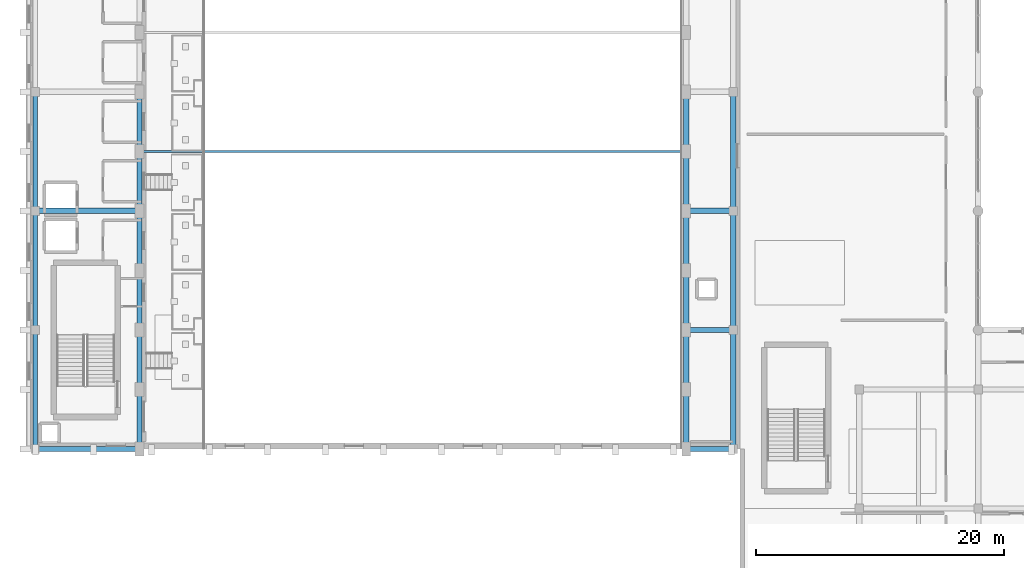
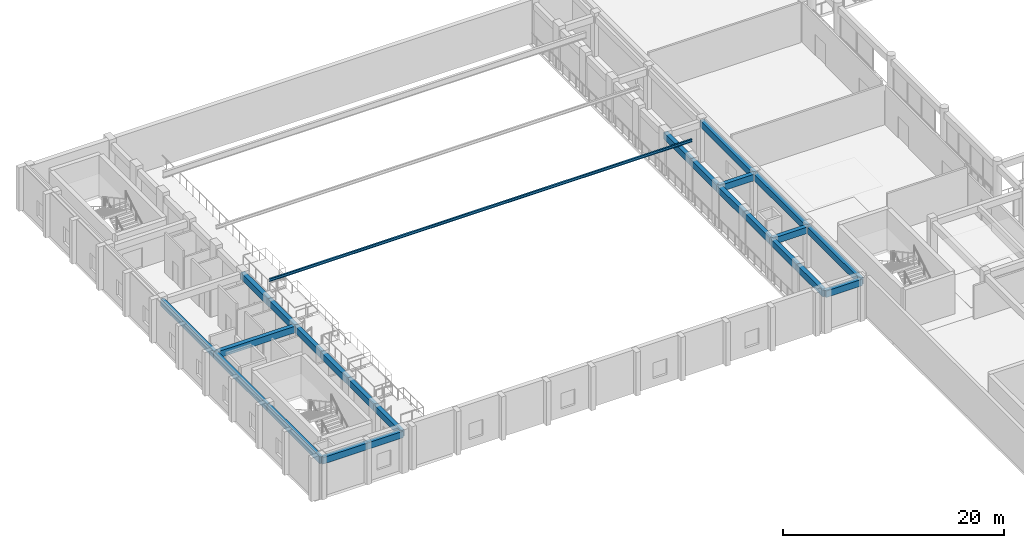
# One storey, part 7 of 133: 24 beams.
"""IFC4 building model written with IfcOpenShell, lengths in metres."""

from ifc_helpers import new_model, si_unit, direction, frame, origin, origin_2d, place, context, subcontext, project, spatial, rectangle, i_section, extrude, material, material_profile, profile_set, type_object, element, save


model = new_model("IFC4")

# Units and contexts
model_context = context("Model", 3, precision=1e-05, world=origin(), true_north=direction((0.0, 1.0)))
body_context = subcontext(model_context, "Body", "Model", "MODEL_VIEW")
ifc_project = project(units=[si_unit("LENGTHUNIT", "METRE"), si_unit("AREAUNIT", "SQUARE_METRE"), si_unit("VOLUMEUNIT", "CUBIC_METRE"), si_unit("PLANEANGLEUNIT", "RADIAN"), si_unit("MASSUNIT", "GRAM", prefix="KILO")], contexts=[model_context])

# Site, building, storey
site_placement = place(None, origin())
site = spatial("IfcSite", under=ifc_project, at=site_placement, CompositionType="ELEMENT")
building_placement = place(site_placement, origin())
building = spatial("IfcBuilding", under=site, at=building_placement, Name="Nakhvara Creek Congress Hotel", CompositionType="ELEMENT")
storey_placement = place(building_placement, frame((0.0, 0.0, 11.39990234375)))
storey = spatial("IfcBuildingStorey", under=building, at=storey_placement, Name="L02", CompositionType="ELEMENT", Elevation=11.39990234375)

# Beams
ifc_material_1 = material(Name="Concrete C40/50", Category="concrete")
ifc_material_profile_1 = material_profile(ifc_material_1, rectangle(XDim=0.43994140625, YDim=0.719970703125, at=origin_2d()), Name="RC-BM 440x720", Category="LoadBearing")
ifc_profile_set_1 = profile_set([ifc_material_profile_1], Name="Concrete C40/50")
beam_type_1 = type_object("IfcBeamType", Name="BM-RC-440X720", PredefinedType="BEAM", material=ifc_profile_set_1)
beam_1_placement = place(storey_placement, frame((0.75, 33.60009765625, 4.06005859375), z_axis=(1.0, 0.0, 0.0), x_axis=(0.0, 1.0, 0.0)))
element("IfcBeam", 1, at=beam_1_placement, inside=storey, type_object=beam_type_1, Name="Beam B12-L02-1393", PredefinedType="BEAM", context=body_context, shape_type="SweptSolid", body=[
    extrude(rectangle(XDim=0.43994140625, YDim=0.719970703125, at=origin_2d()), origin(), (0.0, 0.0, 1.0), 8.39990234375),
])
beam_2_placement = place(storey_placement, frame((57.050048828125, 33.60009765625, 4.06005859375), z_axis=(0.0, 1.0, 0.0), x_axis=(-1.0, 0.0, 0.0)))
element("IfcBeam", 2, at=beam_2_placement, inside=storey, type_object=beam_type_1, Name="Beam B12-L02-1394", PredefinedType="BEAM", context=body_context, shape_type="SweptSolid", body=[
    extrude(rectangle(XDim=0.43994140625, YDim=0.719970703125, at=origin_2d()), origin(), (0.0, 0.0, 1.0), 9.599853515625),
])
beam_3_placement = place(storey_placement, frame((53.25, 33.60009765625, 4.06005859375), z_axis=(1.0, 0.0, 0.0), x_axis=(0.0, 1.0, 0.0)))
element("IfcBeam", 3, at=beam_3_placement, inside=storey, type_object=beam_type_1, Name="Beam B12-L02-1395", PredefinedType="BEAM", context=body_context, shape_type="SweptSolid", body=[
    extrude(rectangle(XDim=0.43994140625, YDim=0.719970703125, at=origin_2d()), origin(), (0.0, 0.0, 1.0), 3.800048828125),
])
beam_4_placement = place(storey_placement, frame((57.050048828125, 43.199951171875, 4.06005859375), z_axis=(0.0, 1.0, 0.0), x_axis=(-1.0, 0.0, 0.0)))
element("IfcBeam", 4, at=beam_4_placement, inside=storey, type_object=beam_type_1, Name="Beam B12-L02-1397", PredefinedType="BEAM", context=body_context, shape_type="SweptSolid", body=[
    extrude(rectangle(XDim=0.43994140625, YDim=0.719970703125, at=origin_2d()), origin(), (0.0, 0.0, 1.0), 9.60009765625),
])
beam_5_placement = place(storey_placement, frame((53.25, 43.199951171875, 4.06005859375), z_axis=(1.0, 0.0, 0.0), x_axis=(0.0, 1.0, 0.0)))
element("IfcBeam", 5, at=beam_5_placement, inside=storey, type_object=beam_type_1, Name="Beam B12-L02-1398", PredefinedType="BEAM", context=body_context, shape_type="SweptSolid", body=[
    extrude(rectangle(XDim=0.43994140625, YDim=0.719970703125, at=origin_2d()), origin(), (0.0, 0.0, 1.0), 3.800048828125),
])
beam_6_placement = place(storey_placement, frame((0.75, 52.800048828125, 4.06005859375), z_axis=(1.0, 0.0, 0.0), x_axis=(0.0, 1.0, 0.0)))
element("IfcBeam", 6, at=beam_6_placement, inside=storey, type_object=beam_type_1, Name="Beam B12-L02-1400", PredefinedType="BEAM", context=body_context, shape_type="SweptSolid", body=[
    extrude(rectangle(XDim=0.43994140625, YDim=0.719970703125, at=origin_2d()), origin(), (0.0, 0.0, 1.0), 8.39990234375),
])
beam_7_placement = place(storey_placement, frame((57.050048828125, 52.800048828125, 4.06005859375), z_axis=(0.0, 1.0, 0.0), x_axis=(-1.0, 0.0, 0.0)))
element("IfcBeam", 7, at=beam_7_placement, inside=storey, type_object=beam_type_1, Name="Beam B12-L02-1401", PredefinedType="BEAM", context=body_context, shape_type="SweptSolid", body=[
    extrude(rectangle(XDim=0.43994140625, YDim=0.719970703125, at=origin_2d()), origin(), (0.0, 0.0, 1.0), 9.599853515625),
])
beam_8_placement = place(storey_placement, frame((53.25, 52.800048828125, 4.06005859375), z_axis=(1.0, 0.0, 0.0), x_axis=(0.0, 1.0, 0.0)))
element("IfcBeam", 8, at=beam_8_placement, inside=storey, type_object=beam_type_1, Name="Beam B12-L02-1402", PredefinedType="BEAM", context=body_context, shape_type="SweptSolid", body=[
    extrude(rectangle(XDim=0.43994140625, YDim=0.719970703125, at=origin_2d()), origin(), (0.0, 0.0, 1.0), 3.800048828125),
])
for number, where, z_axis, x_axis, name in (
    (9, (9.14990234375, 33.60009765625, 4.06005859375), (0.0, 1.0, 0.0), (-1.0, 0.0, 0.0), "Beam B12-L02-1416"),
    (10, (53.25, 33.60009765625, 4.06005859375), (0.0, 1.0, 0.0), (-1.0, 0.0, 0.0), "Beam B12-L02-1417"),
):
    element("IfcBeam", number, at=place(storey_placement, frame(where, z_axis=z_axis, x_axis=x_axis)), inside=storey, type_object=beam_type_1, Name=name, PredefinedType="BEAM", context=body_context, shape_type="SweptSolid", body=[
        extrude(rectangle(XDim=0.43994140625, YDim=0.719970703125, at=origin_2d()), origin(), (0.0, 0.0, 1.0), 4.7998046875),
    ])
for number, where, z_axis, x_axis, name in (
    (11, (9.14990234375, 38.39990234375, 4.06005859375), (0.0, 1.0, 0.0), (-1.0, 0.0, 0.0), "Beam B12-L02-1418"),
    (12, (53.25, 38.39990234375, 4.06005859375), (0.0, 1.0, 0.0), (-1.0, 0.0, 0.0), "Beam B12-L02-1419"),
    (13, (9.14990234375, 43.199951171875, 4.06005859375), (0.0, 1.0, 0.0), (-1.0, 0.0, 0.0), "Beam B12-L02-1420"),
    (14, (53.25, 43.199951171875, 4.06005859375), (0.0, 1.0, 0.0), (-1.0, 0.0, 0.0), "Beam B12-L02-1421"),
    (15, (9.14990234375, 48.0, 4.06005859375), (0.0, 1.0, 0.0), (-1.0, 0.0, 0.0), "Beam B12-L02-1422"),
    (16, (53.25, 48.0, 4.06005859375), (0.0, 1.0, 0.0), (-1.0, 0.0, 0.0), "Beam B12-L02-1423"),
    (17, (9.14990234375, 52.800048828125, 4.06005859375), (0.0, 1.0, 0.0), (-1.0, 0.0, 0.0), "Beam B12-L02-1424"),
    (18, (53.25, 52.800048828125, 4.06005859375), (0.0, 1.0, 0.0), (-1.0, 0.0, 0.0), "Beam B12-L02-1425"),
):
    element("IfcBeam", number, at=place(storey_placement, frame(where, z_axis=z_axis, x_axis=x_axis)), inside=storey, type_object=beam_type_1, Name=name, PredefinedType="BEAM", context=body_context, shape_type="SweptSolid", body=[
        extrude(rectangle(XDim=0.43994140625, YDim=0.719970703125, at=origin_2d()), origin(), (0.0, 0.0, 1.0), 4.800048828125),
    ])
for number, where, z_axis, x_axis, name in (
    (19, (9.14990234375, 57.60009765625, 4.06005859375), (0.0, 1.0, 0.0), (-1.0, 0.0, 0.0), "Beam B12-L02-1426"),
    (20, (53.25, 57.60009765625, 4.06005859375), (0.0, 1.0, 0.0), (-1.0, 0.0, 0.0), "Beam B12-L02-1427"),
):
    element("IfcBeam", number, at=place(storey_placement, frame(where, z_axis=z_axis, x_axis=x_axis)), inside=storey, type_object=beam_type_1, Name=name, PredefinedType="BEAM", context=body_context, shape_type="SweptSolid", body=[
        extrude(rectangle(XDim=0.43994140625, YDim=0.719970703125, at=origin_2d()), origin(), (0.0, 0.0, 1.0), 4.7998046875),
    ])
ifc_material_profile_2 = material_profile(ifc_material_1, rectangle(XDim=0.35009765625, YDim=0.75, at=origin_2d()), Name="RC-SPANDREL 350x750", Category="LoadBearing")
ifc_profile_set_2 = profile_set([ifc_material_profile_2], Name="Concrete C40/50")
beam_type_2 = type_object("IfcBeamType", Name="BM-SPN-350X750", PredefinedType="SPANDREL", material=ifc_profile_set_2)
beam_9_placement = place(storey_placement, frame((0.75, 33.60009765625, 4.045166015625), z_axis=(0.0, 1.0, 0.0), x_axis=(-1.0, 0.0, 0.0)))
element("IfcBeam", 21, at=beam_9_placement, inside=storey, type_object=beam_type_2, Name="Beam SP1-L02-1392", PredefinedType="SPANDREL", context=body_context, shape_type="SweptSolid", body=[
    extrude(rectangle(XDim=0.35009765625, YDim=0.75, at=origin_2d()), origin(), (0.0, 0.0, 1.0), 9.599853515625),
])
beam_10_placement = place(storey_placement, frame((0.75, 43.199951171875, 4.045166015625), z_axis=(0.0, 1.0, 0.0), x_axis=(-1.0, 0.0, 0.0)))
element("IfcBeam", 22, at=beam_10_placement, inside=storey, type_object=beam_type_2, Name="Beam SP1-L02-1396", PredefinedType="SPANDREL", context=body_context, shape_type="SweptSolid", body=[
    extrude(rectangle(XDim=0.35009765625, YDim=0.75, at=origin_2d()), origin(), (0.0, 0.0, 1.0), 9.60009765625),
])
beam_11_placement = place(storey_placement, frame((0.75, 52.800048828125, 4.045166015625), z_axis=(0.0, 1.0, 0.0), x_axis=(-1.0, 0.0, 0.0)))
element("IfcBeam", 23, at=beam_11_placement, inside=storey, type_object=beam_type_2, Name="Beam SP1-L02-1399", PredefinedType="SPANDREL", context=body_context, shape_type="SweptSolid", body=[
    extrude(rectangle(XDim=0.35009765625, YDim=0.75, at=origin_2d()), origin(), (0.0, 0.0, 1.0), 9.599853515625),
])
ifc_material_2 = material(Name="Steel S355J2", Category="steel")
ifc_material_profile_3 = material_profile(ifc_material_2, i_section(OverallWidth=0.1650390625, OverallDepth=0.303466796875, WebThickness=0.006103515625, FlangeThickness=0.01025390625, FilletRadius=0.0087890625, at=origin_2d()), Name="UB 305x165x40", Category="LoadBearing")
ifc_profile_set_3 = profile_set([ifc_material_profile_3], Name="Steel S355J2")
beam_type_3 = type_object("IfcBeamType", Name="BM-ST-UB305", PredefinedType="JOIST", material=ifc_profile_set_3)
beam_12_placement = place(storey_placement, frame((9.14990234375, 57.60009765625, 6.400146484375), z_axis=(1.0, 0.0, 0.0), x_axis=(0.0, 1.0, 0.0)))
element("IfcBeam", 24, at=beam_12_placement, inside=storey, type_object=beam_type_3, Name="Congress Steel Girder 05", PredefinedType="JOIST", context=body_context, shape_type="SweptSolid", body=[
    extrude(i_section(OverallWidth=0.1650390625, OverallDepth=0.303466796875, WebThickness=0.006103515625, FlangeThickness=0.01025390625, FilletRadius=0.0087890625, at=origin_2d()), origin(), (0.0, 0.0, 1.0), 44.10009765625),
])

save(model, "model.ifc")
